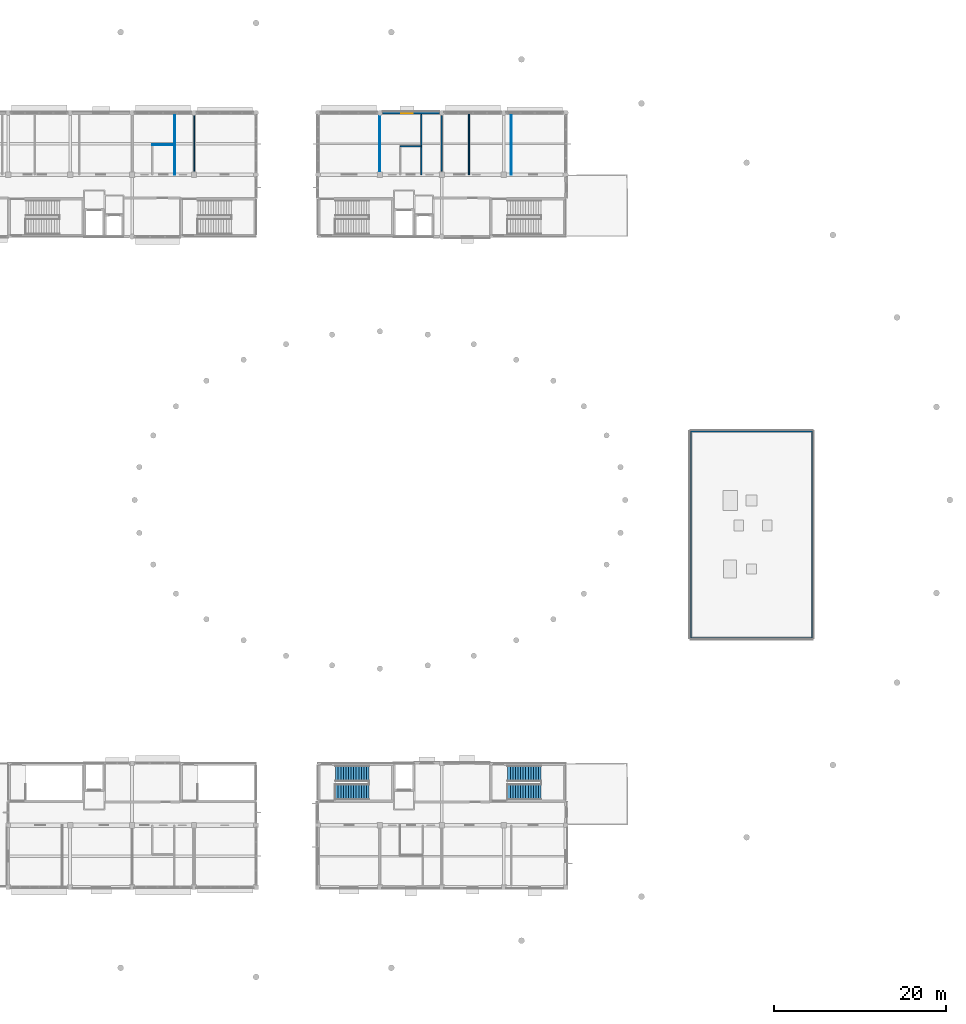
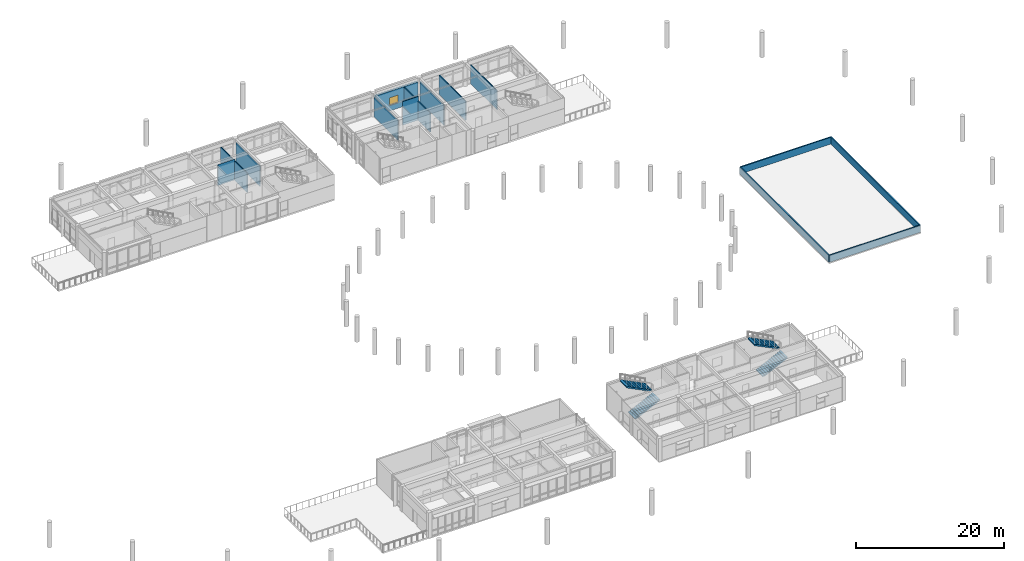
# One storey, part 23 of 41: 14 walls, 4 stair flights, 1 window, 1 opening, 2 elements without a shape of their own.
"""IFC4 building model written with IfcOpenShell, lengths in metres."""

from ifc_helpers import new_model, si_unit, direction, frame, frame_2d, origin, place, context, subcontext, project, spatial, polyline, rectangle, outline, extrude, material, layer, layer_set, type_object, element, fill, aggregate, save


model = new_model("IFC4")

# Units and contexts
model_context = context("Model", 3, precision=1e-05, world=origin(), true_north=direction((0.0, 1.0)))
body_context = subcontext(model_context, "Body", "Model", "MODEL_VIEW")
ifc_project = project(units=[si_unit("LENGTHUNIT", "METRE"), si_unit("AREAUNIT", "SQUARE_METRE"), si_unit("VOLUMEUNIT", "CUBIC_METRE"), si_unit("PLANEANGLEUNIT", "RADIAN"), si_unit("MASSUNIT", "GRAM", prefix="KILO")], contexts=[model_context])

# Site, building, storey
site_placement = place(None, origin())
site = spatial("IfcSite", under=ifc_project, at=site_placement, CompositionType="ELEMENT")
building_placement = place(site_placement, origin())
building = spatial("IfcBuilding", under=site, at=building_placement, Name="Namkhue Oval Health Centre", CompositionType="ELEMENT")
storey_placement = place(building_placement, frame((0.0, 0.0, 13.800048828125)))
storey = spatial("IfcBuildingStorey", under=building, at=storey_placement, Name="L03", CompositionType="ELEMENT", Elevation=13.800048828125)

# Wall, opening, window
ifc_material_1 = material(Name="Autoclaved aerated concrete blockwork M7.5", Category="masonry")
ifc_layer_1 = layer(ifc_material_1, 0.300048828125)
ifc_layer_set_1 = layer_set([ifc_layer_1], Name="Autoclaved aerated concrete blockwork M7.5")
wall_type_1 = type_object("IfcWallType", Name="EXTERIOR ENVELOPE WALL 300", PredefinedType="STANDARD", material=ifc_layer_set_1)
wall_1_placement = place(storey_placement, frame((107.705078125, 104.39990234375, 0.0), z_axis=(0.0, 0.0, 1.0), x_axis=(-1.0, 0.0, 0.0)))
wall_1 = element("IfcWall", 1, at=wall_1_placement, inside=storey, type_object=wall_type_1, Name="Volume V3 L03 Exterior Envelope Wall 77", PredefinedType="STANDARD", context=body_context, shape_type="SweptSolid", body=[
    extrude(rectangle(XDim=6.610107421875, YDim=0.300048828125, at=frame_2d((3.30517578125, 0.0))), origin(), (0.0, 0.0, 1.0), 3.27001953125),
])
opening_placement = place(wall_1_placement, frame((3.080078125, 0.0, 0.89990234375)))
opening = element("IfcOpeningElement", 2, at=opening_placement, cuts=wall_1, Name="Opening WN-05", PredefinedType="OPENING", context=body_context, shape_type="SweptSolid", body=[
    extrude(rectangle(XDim=1.35009765625, YDim=1.300048828125, at=frame_2d((0.675048828125, 0.64990234375))), frame((0.0, 0.159912109375, 0.0), z_axis=(0.0, -1.0, 0.0), x_axis=(1.0, 0.0, 0.0)), (0.0, 0.0, 1.0), 0.320068359375),
])
ifc_material_2 = material(Name="Thermally broken low-E laminated double glazing", Category="glass")
window_type = type_object("IfcWindowType", Name="EXTERIOR WINDOW 1350X1300", PartitioningType="SINGLE_PANEL", PredefinedType="WINDOW", material=ifc_material_2)
window_placement = place(opening_placement, origin())
window = element("IfcWindow", 3, at=window_placement, inside=storey, type_object=window_type, Name="Volume V3 L03 Exterior Window 50", OverallHeight=1.300048828125, OverallWidth=1.35009765625, PartitioningType="SINGLE_PANEL", PredefinedType="WINDOW", context=body_context, shape_type="SweptSolid", body=[
    extrude(rectangle(XDim=1.35009765625, YDim=1.300048828125, at=frame_2d((0.675048828125, 0.64990234375))), frame((0.0, 0.030029296875, 0.0), z_axis=(0.0, -1.0, 0.0), x_axis=(1.0, 0.0, 0.0)), (0.0, 0.0, 1.0), 0.06005859375),
])
fill(opening, window)

# Walls
ifc_material_3 = material(Name="Gypsum plasterboard acoustic partition", Category="gypsum")
ifc_layer_2 = layer(ifc_material_3, 0.10009765625)
ifc_layer_set_2 = layer_set([ifc_layer_2], Name="Gypsum plasterboard acoustic partition")
wall_type_2 = type_object("IfcWallType", Name="INTERIOR PARTITION WALL 100", PredefinedType="PARTITIONING", material=ifc_layer_set_2)
wall_2_placement = place(storey_placement, frame((74.340087890625, 100.679931640625, 0.0), z_axis=(0.0, 0.0, 1.0), x_axis=(1.0, 0.0, 0.0)))
element("IfcWall", 4, at=wall_2_placement, inside=storey, type_object=wall_type_2, Name="Volume V2 L03 Clinical Partition Wall 78", PredefinedType="PARTITIONING", context=body_context, shape_type="SweptSolid", body=[
    extrude(rectangle(XDim=2.619873046875, YDim=0.10009765625, at=frame_2d((1.31005859375, 0.0))), origin(), (0.0, 0.0, 1.0), 3.445068359375),
])
wall_3_placement = place(storey_placement, frame((116.072998046875, 97.199951171875, 0.0), z_axis=(0.0, 0.0, 1.0), x_axis=(0.0, 1.0, 0.0)))
element("IfcWall", 5, at=wall_3_placement, inside=storey, type_object=wall_type_2, Name="Volume V3 L03 Clinical Partition Wall 141", PredefinedType="PARTITIONING", context=body_context, shape_type="SweptSolid", body=[
    extrude(rectangle(XDim=7.16015625, YDim=0.10009765625, at=frame_2d((3.580078125, 0.0))), origin(), (0.0, 0.0, 1.0), 3.169921875),
])
ifc_layer_3 = layer(ifc_material_3, 0.110107421875)
ifc_layer_set_3 = layer_set([ifc_layer_3], Name="Gypsum plasterboard acoustic partition")
wall_type_3 = type_object("IfcWallType", Name="INTERIOR PARTITION WALL 110", PredefinedType="PARTITIONING", material=ifc_layer_set_3)
wall_4_placement = place(storey_placement, frame((76.9599609375, 97.199951171875, 0.0), z_axis=(0.0, 0.0, 1.0), x_axis=(0.0, 1.0, 0.0)))
element("IfcWall", 6, at=wall_4_placement, inside=storey, type_object=wall_type_3, Name="Volume V2 L03 Clinical Partition Wall 79", PredefinedType="PARTITIONING", context=body_context, shape_type="SweptSolid", body=[
    extrude(rectangle(XDim=7.16015625, YDim=0.110107421875, at=frame_2d((3.580078125, 0.0))), origin(), (0.0, 0.0, 1.0), 3.195068359375),
])
wall_5_placement = place(storey_placement, frame((100.800048828125, 97.624267578125, 0.0), z_axis=(0.0, 0.0, 1.0), x_axis=(0.0, 1.0, 0.0)))
element("IfcWall", 7, at=wall_5_placement, inside=storey, type_object=wall_type_3, Name="Volume V3 L03 Clinical Partition Wall 135", PredefinedType="PARTITIONING", context=body_context, shape_type="SweptSolid", body=[
    extrude(rectangle(XDim=6.475830078125, YDim=0.110107421875, at=frame_2d((3.23779296875, 0.0))), origin(), (0.0, 0.0, 1.0), 3.369873046875),
])
ifc_layer_4 = layer(ifc_material_3, 0.1201171875)
ifc_layer_set_4 = layer_set([ifc_layer_4], Name="Gypsum plasterboard acoustic partition")
wall_type_4 = type_object("IfcWallType", Name="INTERIOR PARTITION WALL 120", PredefinedType="PARTITIONING", material=ifc_layer_set_4)
wall_6_placement = place(storey_placement, frame((79.199951171875, 97.624267578125, 0.0), z_axis=(0.0, 0.0, 1.0), x_axis=(0.0, 1.0, 0.0)))
element("IfcWall", 8, at=wall_6_placement, inside=storey, type_object=wall_type_4, Name="Volume V2 L03 Clinical Partition Wall 80", PredefinedType="PARTITIONING", context=body_context, shape_type="SweptSolid", body=[
    extrude(rectangle(XDim=6.475830078125, YDim=0.1201171875, at=frame_2d((3.23779296875, 0.0))), origin(), (0.0, 0.0, 1.0), 3.39501953125),
])
ifc_layer_5 = layer(ifc_material_3, 0.1298828125)
ifc_layer_set_5 = layer_set([ifc_layer_5], Name="Gypsum plasterboard acoustic partition")
wall_type_5 = type_object("IfcWallType", Name="INTERIOR PARTITION WALL 130", PredefinedType="PARTITIONING", material=ifc_layer_set_5)
wall_7_placement = place(storey_placement, frame((103.139892578125, 100.52001953125, 0.0), z_axis=(0.0, 0.0, 1.0), x_axis=(1.0, 0.0, 0.0)))
element("IfcWall", 9, at=wall_7_placement, inside=storey, type_object=wall_type_5, Name="Volume V3 L03 Clinical Partition Wall 137", PredefinedType="PARTITIONING", context=body_context, shape_type="SweptSolid", body=[
    extrude(rectangle(XDim=2.460205078125, YDim=0.1298828125, at=frame_2d((1.22998046875, 0.0))), origin(), (0.0, 0.0, 1.0), 3.919921875),
])
ifc_layer_6 = layer(ifc_material_3, 0.139892578125)
ifc_layer_set_6 = layer_set([ifc_layer_6], Name="Gypsum plasterboard acoustic partition")
wall_type_6 = type_object("IfcWallType", Name="INTERIOR PARTITION WALL 140", PredefinedType="PARTITIONING", material=ifc_layer_set_6)
wall_8_placement = place(storey_placement, frame((105.60009765625, 97.199951171875, 0.0), z_axis=(0.0, 0.0, 1.0), x_axis=(0.0, 1.0, 0.0)))
element("IfcWall", 10, at=wall_8_placement, inside=storey, type_object=wall_type_6, Name="Volume V3 L03 Clinical Partition Wall 138", PredefinedType="PARTITIONING", context=body_context, shape_type="SweptSolid", body=[
    extrude(rectangle(XDim=7.028076171875, YDim=0.139892578125, at=frame_2d((3.51416015625, 0.0))), origin(), (0.0, 0.0, 1.0), 3.169921875),
])
ifc_layer_7 = layer(ifc_material_3, 0.14990234375)
ifc_layer_set_7 = layer_set([ifc_layer_7], Name="Gypsum plasterboard acoustic partition")
wall_type_7 = type_object("IfcWallType", Name="INTERIOR PARTITION WALL 150", PredefinedType="PARTITIONING", material=ifc_layer_set_7)
wall_9_placement = place(storey_placement, frame((108.0, 97.624267578125, 0.0), z_axis=(0.0, 0.0, 1.0), x_axis=(0.0, 1.0, 0.0)))
element("IfcWall", 11, at=wall_9_placement, inside=storey, type_object=wall_type_7, Name="Volume V3 L03 Clinical Partition Wall 139", PredefinedType="PARTITIONING", context=body_context, shape_type="SweptSolid", body=[
    extrude(rectangle(XDim=6.475830078125, YDim=0.14990234375, at=frame_2d((3.23779296875, 0.0))), origin(), (0.0, 0.0, 1.0), 3.369873046875),
])
ifc_layer_8 = layer(ifc_material_3, 0.159912109375)
ifc_layer_set_8 = layer_set([ifc_layer_8], Name="Gypsum plasterboard acoustic partition")
wall_type_8 = type_object("IfcWallType", Name="INTERIOR PARTITION WALL 160", PredefinedType="PARTITIONING", material=ifc_layer_set_8)
wall_10_placement = place(storey_placement, frame((111.14990234375, 97.199951171875, 0.0), z_axis=(0.0, 0.0, 1.0), x_axis=(0.0, 1.0, 0.0)))
element("IfcWall", 12, at=wall_10_placement, inside=storey, type_object=wall_type_8, Name="Volume V3 L03 Clinical Partition Wall 140", PredefinedType="PARTITIONING", context=body_context, shape_type="SweptSolid", body=[
    extrude(rectangle(XDim=7.16015625, YDim=0.159912109375, at=frame_2d((3.580078125, 0.0))), origin(), (0.0, 0.0, 1.0), 3.169921875),
])
ifc_material_4 = material(Name="Precast architectural concrete C35/45 (TCVN B40)", Category="concrete")
ifc_layer_9 = layer(ifc_material_4, 0.18505859375)
ifc_layer_set_9 = layer_set([ifc_layer_9], Name="Precast architectural concrete C35/45 (TCVN B40)")
wall_type_9 = type_object("IfcWallType", Name="ROOF PARAPET WALL 185", PredefinedType="PARAPET", material=ifc_layer_set_9)
wall_11_placement = place(storey_placement, frame((136.892578125, 43.29248046875, 0.204833984375), z_axis=(0.0, 0.0, 1.0), x_axis=(0.0, 1.0, 0.0)))
element("IfcWall", 13, at=wall_11_placement, inside=storey, type_object=wall_type_9, Name="Volume V6 L03 Roof Parapet Wall 1", PredefinedType="PARAPET", context=body_context, shape_type="SweptSolid", body=[
    extrude(rectangle(XDim=24.114990234375, YDim=0.18505859375, at=frame_2d((12.0576171875, 0.0))), origin(), (0.0, 0.0, 1.0), 1.150146484375),
])
wall_12_placement = place(storey_placement, frame((136.892578125, 67.407470703125, 0.204833984375), z_axis=(0.0, 0.0, 1.0), x_axis=(1.0, 0.0, 0.0)))
element("IfcWall", 14, at=wall_12_placement, inside=storey, type_object=wall_type_9, Name="Volume V6 L03 Roof Parapet Wall 2", PredefinedType="PARAPET", context=body_context, shape_type="SweptSolid", body=[
    extrude(rectangle(XDim=14.21484375, YDim=0.18505859375, at=frame_2d((7.107421875, 0.0))), origin(), (0.0, 0.0, 1.0), 1.150146484375),
])
wall_13_placement = place(storey_placement, frame((151.107421875, 67.407470703125, 0.204833984375), z_axis=(0.0, 0.0, 1.0), x_axis=(0.0, -1.0, 0.0)))
element("IfcWall", 15, at=wall_13_placement, inside=storey, type_object=wall_type_9, Name="Volume V6 L03 Roof Parapet Wall 3", PredefinedType="PARAPET", context=body_context, shape_type="SweptSolid", body=[
    extrude(rectangle(XDim=24.114990234375, YDim=0.18505859375, at=frame_2d((12.0576171875, 0.0))), origin(), (0.0, 0.0, 1.0), 1.150146484375),
])
wall_14_placement = place(storey_placement, frame((151.107421875, 43.29248046875, 0.204833984375), z_axis=(0.0, 0.0, 1.0), x_axis=(-1.0, 0.0, 0.0)))
element("IfcWall", 16, at=wall_14_placement, inside=storey, type_object=wall_type_9, Name="Volume V6 L03 Roof Parapet Wall 4", PredefinedType="PARAPET", context=body_context, shape_type="SweptSolid", body=[
    extrude(rectangle(XDim=14.21484375, YDim=0.18505859375, at=frame_2d((7.107421875, 0.0))), origin(), (0.0, 0.0, 1.0), 1.150146484375),
])

# Stair, stair flights
ifc_material_5 = material(Name="Reinforced concrete C30/37 (TCVN B35)", Category="concrete")
stair_type = type_object("IfcStairType", Name="DOGLEG EXIT STAIR H4200", PredefinedType="HALF_TURN_STAIR", material=ifc_material_5)
stair_1_placement = place(storey_placement, origin())
stair_1 = element("IfcStair", 17, at=stair_1_placement, inside=storey, type_object=stair_type, Name="Protected Exit Stair ST-09 L03", PredefinedType="HALF_TURN_STAIR")
stair_flight_type = type_object("IfcStairFlightType", Name="STRAIGHT STAIR FLIGHT 1850", PredefinedType="STRAIGHT", material=ifc_material_5)
stair_flight_1_placement = place(storey_placement, frame((95.64990234375, 25.47509765625, 0.0), z_axis=(0.0, 0.0, 1.0), x_axis=(1.0, 0.0, 0.0)))
stair_flight_1 = element("IfcStairFlight", 18, at=stair_flight_1_placement, type_object=stair_flight_type, Name="ST-09 flight 1", NumberOfRisers=14, NumberOfTreads=13, PredefinedType="STRAIGHT", RiserHeight=0.15, TreadLength=0.3, context=body_context, shape_type="SweptSolid", body=[
    extrude(outline(polyline([(0.0, 0.0), (0.0, 0.14990234375), (0.300048828125, 0.14990234375), (0.300048828125, 0.300048828125), (0.60009765625, 0.300048828125), (0.60009765625, 0.449951171875), (0.89990234375, 0.449951171875), (0.89990234375, 0.60009765625), (1.199951171875, 0.60009765625), (1.199951171875, 0.75), (1.5, 0.75), (1.5, 0.89990234375), (1.800048828125, 0.89990234375), (1.800048828125, 1.050048828125), (2.10009765625, 1.050048828125), (2.10009765625, 1.199951171875), (2.39990234375, 1.199951171875), (2.39990234375, 1.35009765625), (2.699951171875, 1.35009765625), (2.699951171875, 1.5), (3.0, 1.5), (3.0, 1.64990234375), (3.300048828125, 1.64990234375), (3.300048828125, 1.800048828125), (3.60009765625, 1.800048828125), (3.60009765625, 1.949951171875), (3.89990234375, 1.949951171875), (3.89990234375, 2.10009765625), (3.89990234375, 1.748779296875), (0.40234375, 0.0), (0.0, 0.0)])), frame((0.0, 0.925048828125, 0.0), z_axis=(0.0, -1.0, 0.0), x_axis=(1.0, 0.0, 0.0)), (0.0, 0.0, 1.0), 1.85009765625),
])
stair_flight_2_placement = place(storey_placement, frame((99.550048828125, 27.625, 2.099853515625), z_axis=(0.0, 0.0, 1.0), x_axis=(-1.0, 0.0, 0.0)))
stair_flight_2 = element("IfcStairFlight", 19, at=stair_flight_2_placement, type_object=stair_flight_type, Name="ST-09 flight 2", NumberOfRisers=14, NumberOfTreads=13, PredefinedType="STRAIGHT", RiserHeight=0.15, TreadLength=0.3, context=body_context, shape_type="SweptSolid", body=[
    extrude(outline(polyline([(0.0, 0.0), (0.0, 0.14990234375), (0.300048828125, 0.14990234375), (0.300048828125, 0.300048828125), (0.60009765625, 0.300048828125), (0.60009765625, 0.449951171875), (0.89990234375, 0.449951171875), (0.89990234375, 0.60009765625), (1.199951171875, 0.60009765625), (1.199951171875, 0.75), (1.5, 0.75), (1.5, 0.89990234375), (1.800048828125, 0.89990234375), (1.800048828125, 1.050048828125), (2.10009765625, 1.050048828125), (2.10009765625, 1.199951171875), (2.39990234375, 1.199951171875), (2.39990234375, 1.35009765625), (2.699951171875, 1.35009765625), (2.699951171875, 1.5), (3.0, 1.5), (3.0, 1.64990234375), (3.300048828125, 1.64990234375), (3.300048828125, 1.800048828125), (3.60009765625, 1.800048828125), (3.60009765625, 1.949951171875), (3.89990234375, 1.949951171875), (3.89990234375, 2.10009765625), (3.89990234375, 1.748779296875), (0.40234375, 0.0), (0.0, 0.0)])), frame((0.0, 0.925048828125, 0.0), z_axis=(0.0, -1.0, 0.0), x_axis=(1.0, 0.0, 0.0)), (0.0, 0.0, 1.0), 1.85009765625),
])
aggregate(stair_1, [stair_flight_1, stair_flight_2])

stair_2_placement = place(storey_placement, origin())
stair_2 = element("IfcStair", 20, at=stair_2_placement, inside=storey, type_object=stair_type, Name="Protected Exit Stair ST-10 L03", PredefinedType="HALF_TURN_STAIR")
stair_flight_3_placement = place(storey_placement, frame((115.64990234375, 25.47509765625, 0.0), z_axis=(0.0, 0.0, 1.0), x_axis=(1.0, 0.0, 0.0)))
stair_flight_3 = element("IfcStairFlight", 21, at=stair_flight_3_placement, type_object=stair_flight_type, Name="ST-10 flight 1", NumberOfRisers=14, NumberOfTreads=13, PredefinedType="STRAIGHT", RiserHeight=0.15, TreadLength=0.3, context=body_context, shape_type="SweptSolid", body=[
    extrude(outline(polyline([(0.0, 0.0), (0.0, 0.14990234375), (0.300048828125, 0.14990234375), (0.300048828125, 0.300048828125), (0.60009765625, 0.300048828125), (0.60009765625, 0.449951171875), (0.89990234375, 0.449951171875), (0.89990234375, 0.60009765625), (1.199951171875, 0.60009765625), (1.199951171875, 0.75), (1.5, 0.75), (1.5, 0.89990234375), (1.800048828125, 0.89990234375), (1.800048828125, 1.050048828125), (2.10009765625, 1.050048828125), (2.10009765625, 1.199951171875), (2.39990234375, 1.199951171875), (2.39990234375, 1.35009765625), (2.699951171875, 1.35009765625), (2.699951171875, 1.5), (3.0, 1.5), (3.0, 1.64990234375), (3.300048828125, 1.64990234375), (3.300048828125, 1.800048828125), (3.60009765625, 1.800048828125), (3.60009765625, 1.949951171875), (3.89990234375, 1.949951171875), (3.89990234375, 2.10009765625), (3.89990234375, 1.748779296875), (0.40234375, 0.0), (0.0, 0.0)])), frame((0.0, 0.925048828125, 0.0), z_axis=(0.0, -1.0, 0.0), x_axis=(1.0, 0.0, 0.0)), (0.0, 0.0, 1.0), 1.85009765625),
])
stair_flight_4_placement = place(storey_placement, frame((119.550048828125, 27.625, 2.099853515625), z_axis=(0.0, 0.0, 1.0), x_axis=(-1.0, 0.0, 0.0)))
stair_flight_4 = element("IfcStairFlight", 22, at=stair_flight_4_placement, type_object=stair_flight_type, Name="ST-10 flight 2", NumberOfRisers=14, NumberOfTreads=13, PredefinedType="STRAIGHT", RiserHeight=0.15, TreadLength=0.3, context=body_context, shape_type="SweptSolid", body=[
    extrude(outline(polyline([(0.0, 0.0), (0.0, 0.14990234375), (0.300048828125, 0.14990234375), (0.300048828125, 0.300048828125), (0.60009765625, 0.300048828125), (0.60009765625, 0.449951171875), (0.89990234375, 0.449951171875), (0.89990234375, 0.60009765625), (1.199951171875, 0.60009765625), (1.199951171875, 0.75), (1.5, 0.75), (1.5, 0.89990234375), (1.800048828125, 0.89990234375), (1.800048828125, 1.050048828125), (2.10009765625, 1.050048828125), (2.10009765625, 1.199951171875), (2.39990234375, 1.199951171875), (2.39990234375, 1.35009765625), (2.699951171875, 1.35009765625), (2.699951171875, 1.5), (3.0, 1.5), (3.0, 1.64990234375), (3.300048828125, 1.64990234375), (3.300048828125, 1.800048828125), (3.60009765625, 1.800048828125), (3.60009765625, 1.949951171875), (3.89990234375, 1.949951171875), (3.89990234375, 2.10009765625), (3.89990234375, 1.748779296875), (0.40234375, 0.0), (0.0, 0.0)])), frame((0.0, 0.925048828125, 0.0), z_axis=(0.0, -1.0, 0.0), x_axis=(1.0, 0.0, 0.0)), (0.0, 0.0, 1.0), 1.85009765625),
])
aggregate(stair_2, [stair_flight_3, stair_flight_4])

save(model, "model.ifc")
